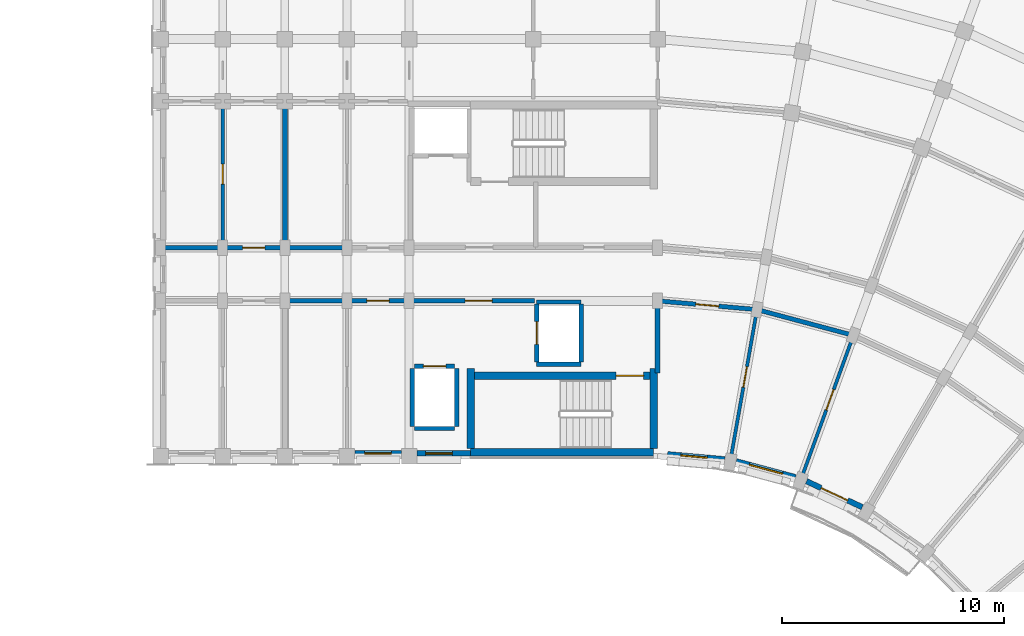
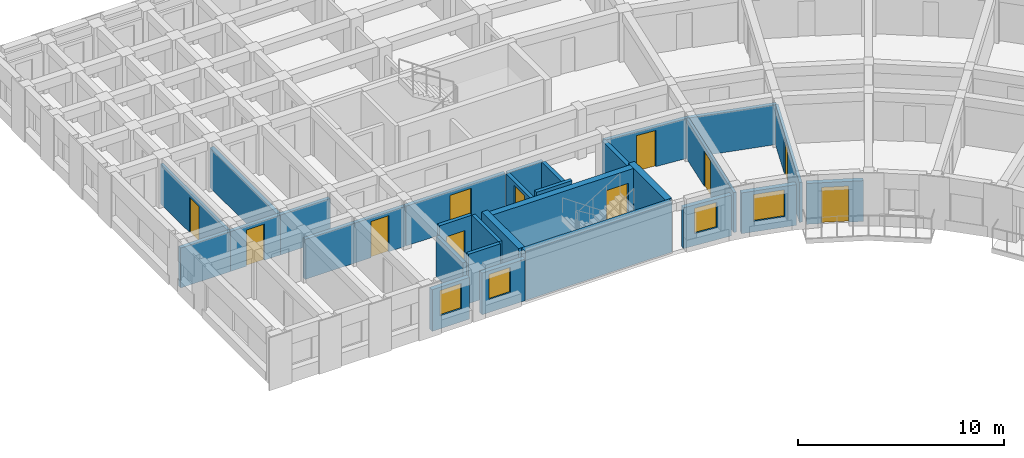
# One storey, part 30 of 57: 30 walls, 11 doors, 4 windows, 15 openings.
"""IFC4 building model written with IfcOpenShell, lengths in metres."""

from ifc_helpers import new_model, si_unit, direction, frame, frame_2d, origin, place, context, subcontext, project, spatial, rectangle, extrude, material, layer, layer_set, type_object, element, fill, save


model = new_model("IFC4")

# Units and contexts
model_context = context("Model", 3, precision=1e-05, world=origin(), true_north=direction((0.0, 1.0)))
body_context = subcontext(model_context, "Body", "Model", "MODEL_VIEW")
ifc_project = project(units=[si_unit("LENGTHUNIT", "METRE"), si_unit("AREAUNIT", "SQUARE_METRE"), si_unit("VOLUMEUNIT", "CUBIC_METRE"), si_unit("PLANEANGLEUNIT", "RADIAN"), si_unit("MASSUNIT", "GRAM", prefix="KILO")], contexts=[model_context])

# Site, building, storey
site_placement = place(None, origin())
site = spatial("IfcSite", under=ifc_project, at=site_placement, CompositionType="ELEMENT")
building_placement = place(site_placement, origin())
building = spatial("IfcBuilding", under=site, at=building_placement, Name="Kiranvali Square Residences", CompositionType="ELEMENT")
storey_placement = place(building_placement, frame((0.0, 0.0, 18.14990234375)))
storey = spatial("IfcBuildingStorey", under=building, at=storey_placement, Name="L05", CompositionType="ELEMENT", Elevation=18.14990234375)

# Wall, opening, door
ifc_material_1 = material(Name="Autoclaved aerated concrete blockwork masonry", Category="masonry")
ifc_layer_1 = layer(ifc_material_1, 0.199951171875)
ifc_layer_set_1 = layer_set([ifc_layer_1], Name="Autoclaved aerated concrete blockwork masonry")
wall_type_1 = type_object("IfcWallType", Name="WL-COR-200", PredefinedType="STANDARD", material=ifc_layer_set_1)
wall_1_placement = place(storey_placement, frame((114.25, 113.60009765625, 0.0), z_axis=(0.0, 0.0, 1.0), x_axis=(-1.0, 0.0, 0.0)))
wall_1 = element("IfcWall", 1, at=wall_1_placement, inside=storey, type_object=wall_type_1, Name="L05 architectural wall WL-L05-B-LL-COR", PredefinedType="STANDARD", context=body_context, shape_type="SweptSolid", body=[
    extrude(rectangle(XDim=5.60009765625, YDim=0.199951171875, at=frame_2d((2.800048828125, 0.0))), origin(), (0.0, 0.0, 1.0), 2.3720703125),
])
opening_1_placement = place(wall_1_placement, frame((1.909912109375, 0.0, 0.0)))
opening_1 = element("IfcOpeningElement", 2, at=opening_1_placement, cuts=wall_1, Name="Opening FD-COR-60", PredefinedType="OPENING", context=body_context, shape_type="SweptSolid", body=[
    extrude(rectangle(XDim=1.219970703125, YDim=2.14990234375, at=frame_2d((0.60986328125, 1.074951171875))), frame((0.0, 0.10986328125, 0.0), z_axis=(0.0, -1.0, 0.0), x_axis=(1.0, 0.0, 0.0)), (0.0, 0.0, 1.0), 0.219970703125),
])
ifc_material_2 = material(Name="Fire-rated acoustic hardwood and mineral-core door assembly", Category="wood")
door_type_1 = type_object("IfcDoorType", Name="DR-FD60-1200", OperationType="NOTDEFINED", PredefinedType="DOOR", material=ifc_material_2)
door_1_placement = place(opening_1_placement, origin())
door_1 = element("IfcDoor", 3, at=door_1_placement, inside=storey, type_object=door_type_1, Name="L05 door DR-L05-1263 (DR-FD60-1200)", OperationType="SINGLE_SWING_LEFT", OverallHeight=2.14990234375, OverallWidth=1.219970703125, PredefinedType="DOOR", context=body_context, shape_type="SweptSolid", body=[
    extrude(rectangle(XDim=1.219970703125, YDim=2.14990234375, at=frame_2d((0.60986328125, 1.074951171875))), frame((0.0, 0.02490234375, 0.0), z_axis=(0.0, -1.0, 0.0), x_axis=(1.0, 0.0, 0.0)), (0.0, 0.0, 1.0), 0.050048828125),
])
fill(opening_1, door_1)

wall_2_placement = place(storey_placement, frame((108.60009765625, 113.60009765625, 0.0), z_axis=(0.0, 0.0, 1.0), x_axis=(-1.0, 0.0, 0.0)))
wall_2 = element("IfcWall", 4, at=wall_2_placement, inside=storey, type_object=wall_type_1, Name="L05 architectural wall WL-L05-B-A1CI-0", PredefinedType="STANDARD", context=body_context, shape_type="SweptSolid", body=[
    extrude(rectangle(XDim=2.800048828125, YDim=0.199951171875, at=frame_2d((1.39990234375, 0.0))), origin(), (0.0, 0.0, 1.0), 2.3720703125),
])
opening_2_placement = place(wall_2_placement, frame((0.89990234375, 0.0, 0.0)))
opening_2 = element("IfcOpeningElement", 5, at=opening_2_placement, cuts=wall_2, Name="Opening FD-APT-60", PredefinedType="OPENING", context=body_context, shape_type="SweptSolid", body=[
    extrude(rectangle(XDim=1.0, YDim=2.14990234375, at=frame_2d((0.5, 1.074951171875))), frame((0.0, 0.10986328125, 0.0), z_axis=(0.0, -1.0, 0.0), x_axis=(1.0, 0.0, 0.0)), (0.0, 0.0, 1.0), 0.219970703125),
])
door_type_2 = type_object("IfcDoorType", Name="DR-APT-1000", OperationType="NOTDEFINED", PredefinedType="DOOR", material=ifc_material_2)
door_2_placement = place(opening_2_placement, origin())
door_2 = element("IfcDoor", 6, at=door_2_placement, inside=storey, type_object=door_type_2, Name="L05 door DR-L05-1267 (DR-APT-1000)", OperationType="SINGLE_SWING_LEFT", OverallHeight=2.14990234375, OverallWidth=1.0, PredefinedType="DOOR", context=body_context, shape_type="SweptSolid", body=[
    extrude(rectangle(XDim=1.0, YDim=2.14990234375, at=frame_2d((0.5, 1.074951171875))), frame((0.0, 0.02490234375, 0.0), z_axis=(0.0, -1.0, 0.0), x_axis=(1.0, 0.0, 0.0)), (0.0, 0.0, 1.0), 0.050048828125),
])
fill(opening_2, door_2)

# Walls
for number, where, z_axis, x_axis, name in (
    (7, (105.800048828125, 113.60009765625, 0.0), (0.0, 0.0, 1.0), (-1.0, 0.0, 0.0), "L05 architectural wall WL-L05-B-A1CI-1"),
    (8, (105.800048828125, 116.0, 0.0), (0.0, 0.0, 1.0), (-1.0, 0.0, 0.0), "L05 architectural wall WL-L05-B-A1CO-1"),
):
    element("IfcWall", number, at=place(storey_placement, frame(where, z_axis=z_axis, x_axis=x_axis)), inside=storey, type_object=wall_type_1, Name=name, PredefinedType="STANDARD", context=body_context, shape_type="SweptSolid", body=[
        extrude(rectangle(XDim=2.800048828125, YDim=0.199951171875, at=frame_2d((1.39990234375, 0.0))), origin(), (0.0, 0.0, 1.0), 2.3720703125),
    ])

# Wall, opening, door
wall_3_placement = place(storey_placement, frame((103.0, 116.0, 0.0), z_axis=(0.0, 0.0, 1.0), x_axis=(-1.0, 0.0, 0.0)))
wall_3 = element("IfcWall", 9, at=wall_3_placement, inside=storey, type_object=wall_type_1, Name="L05 architectural wall WL-L05-B-A1CO-2", PredefinedType="STANDARD", context=body_context, shape_type="SweptSolid", body=[
    extrude(rectangle(XDim=2.800048828125, YDim=0.199951171875, at=frame_2d((1.39990234375, 0.0))), origin(), (0.0, 0.0, 1.0), 2.3720703125),
])
opening_3_placement = place(wall_3_placement, frame((0.89990234375, 0.0, 0.0)))
opening_3 = element("IfcOpeningElement", 10, at=opening_3_placement, cuts=wall_3, Name="Opening FD-APT-60", PredefinedType="OPENING", context=body_context, shape_type="SweptSolid", body=[
    extrude(rectangle(XDim=1.0, YDim=2.14990234375, at=frame_2d((0.5, 1.074951171875))), frame((0.0, 0.10986328125, 0.0), z_axis=(0.0, -1.0, 0.0), x_axis=(1.0, 0.0, 0.0)), (0.0, 0.0, 1.0), 0.219970703125),
])
door_3_placement = place(opening_3_placement, origin())
door_3 = element("IfcDoor", 11, at=door_3_placement, inside=storey, type_object=door_type_2, Name="L05 door DR-L05-1273 (DR-APT-1000)", OperationType="SINGLE_SWING_LEFT", OverallHeight=2.14990234375, OverallWidth=1.0, PredefinedType="DOOR", context=body_context, shape_type="SweptSolid", body=[
    extrude(rectangle(XDim=1.0, YDim=2.14990234375, at=frame_2d((0.5, 1.074951171875))), frame((0.0, 0.02490234375, 0.0), z_axis=(0.0, -1.0, 0.0), x_axis=(1.0, 0.0, 0.0)), (0.0, 0.0, 1.0), 0.050048828125),
])
fill(opening_3, door_3)

# Wall
wall_4_placement = place(storey_placement, frame((100.199951171875, 116.0, 0.0), z_axis=(0.0, 0.0, 1.0), x_axis=(-1.0, 0.0, 0.0)))
element("IfcWall", 12, at=wall_4_placement, inside=storey, type_object=wall_type_1, Name="L05 architectural wall WL-L05-B-A1CO-3", PredefinedType="STANDARD", context=body_context, shape_type="SweptSolid", body=[
    extrude(rectangle(XDim=2.800048828125, YDim=0.199951171875, at=frame_2d((1.39990234375, 0.0))), origin(), (0.0, 0.0, 1.0), 2.3720703125),
])

# Wall, opening, door
wall_5_placement = place(storey_placement, frame((119.800048828125, 113.60009765625, 0.0), z_axis=(0.0, 0.0, 1.0), x_axis=(0.996191949488, -0.087187153726, 0.0)))
wall_5 = element("IfcWall", 13, at=wall_5_placement, inside=storey, type_object=wall_type_1, Name="L05 architectural wall WL-L05-B-CCI-0", PredefinedType="STANDARD", context=body_context, shape_type="SweptSolid", body=[
    extrude(rectangle(XDim=4.4970703125, YDim=0.199951171875, at=frame_2d((2.24853515625, 0.0))), origin(), (0.0, 0.0, 1.0), 2.3720703125),
])
opening_4_placement = place(wall_5_placement, frame((1.728515625, 0.0, 0.0)))
opening_4 = element("IfcOpeningElement", 14, at=opening_4_placement, cuts=wall_5, Name="Opening FD-APT-60B", PredefinedType="OPENING", context=body_context, shape_type="SweptSolid", body=[
    extrude(rectangle(XDim=1.0400390625, YDim=2.14990234375, at=frame_2d((0.52001953125, 1.074951171875))), frame((0.0, 0.10986328125, 0.0), z_axis=(0.0, -1.0, 0.0), x_axis=(1.0, 0.0, 0.0)), (0.0, 0.0, 1.0), 0.219970703125),
])
door_type_3 = type_object("IfcDoorType", Name="DR-APT-1040", OperationType="NOTDEFINED", PredefinedType="DOOR", material=ifc_material_2)
door_4_placement = place(opening_4_placement, frame((1.0400390625, 0.0, 0.0), z_axis=(0.0, 0.0, 1.0), x_axis=(-1.0, 0.0, 0.0)))
door_4 = element("IfcDoor", 15, at=door_4_placement, inside=storey, type_object=door_type_3, Name="L05 door DR-L05-1306 (DR-APT-1040)", OperationType="SINGLE_SWING_RIGHT", OverallHeight=2.14990234375, OverallWidth=1.0400390625, PredefinedType="DOOR", context=body_context, shape_type="SweptSolid", body=[
    extrude(rectangle(XDim=1.0400390625, YDim=2.14990234375, at=frame_2d((0.52001953125, 1.074951171875))), frame((0.0, 0.02490234375, 0.0), z_axis=(0.0, -1.0, 0.0), x_axis=(1.0, 0.0, 0.0)), (0.0, 0.0, 1.0), 0.050048828125),
])
fill(opening_4, door_4)

# Walls
wall_6_placement = place(storey_placement, frame((124.280029296875, 113.2080078125, 0.0), z_axis=(0.0, 0.0, 1.0), x_axis=(0.965934240054, -0.258787642463, 0.0)))
element("IfcWall", 16, at=wall_6_placement, inside=storey, type_object=wall_type_1, Name="L05 architectural wall WL-L05-B-CCI-1", PredefinedType="STANDARD", context=body_context, shape_type="SweptSolid", body=[
    extrude(rectangle(XDim=4.497314453125, YDim=0.199951171875, at=frame_2d((2.24853515625, 0.0))), origin(), (0.0, 0.0, 1.0), 2.3720703125),
])
ifc_layer_2 = layer(ifc_material_1, 0.219970703125)
ifc_layer_set_2 = layer_set([ifc_layer_2], Name="Autoclaved aerated concrete blockwork masonry")
wall_type_2 = type_object("IfcWallType", Name="WL-DEM-220", PredefinedType="STANDARD", material=ifc_layer_set_2)
wall_7_placement = place(storey_placement, frame((103.0, 116.050048828125, 0.0), z_axis=(0.0, 0.0, 1.0), x_axis=(0.0, 1.0, 0.0)))
element("IfcWall", 17, at=wall_7_placement, inside=storey, type_object=wall_type_2, Name="L05 architectural wall WL-L05-B-A1TO1-2", PredefinedType="STANDARD", context=body_context, shape_type="SweptSolid", body=[
    extrude(rectangle(XDim=6.530029296875, YDim=0.219970703125, at=frame_2d((3.26513671875, 0.0))), origin(), (0.0, 0.0, 1.0), 2.3720703125),
])
wall_8_placement = place(storey_placement, frame((119.800048828125, 110.35009765625, 0.0), z_axis=(0.0, 0.0, 1.0), x_axis=(0.0, 1.0, 0.0)))
element("IfcWall", 18, at=wall_8_placement, inside=storey, type_object=wall_type_2, Name="L05 architectural wall WL-L05-B-RADI-0", PredefinedType="STANDARD", context=body_context, shape_type="SweptSolid", body=[
    extrude(rectangle(XDim=3.199951171875, YDim=0.219970703125, at=frame_2d((1.60009765625, 0.0))), origin(), (0.0, 0.0, 1.0), 2.3720703125),
])

# Wall, opening, window
ifc_material_3 = material(Name="Breathable lime-rendered clay brick masonry", Category="masonry")
ifc_layer_3 = layer(ifc_material_3, 0.25)
ifc_layer_set_3 = layer_set([ifc_layer_3], Name="Breathable lime-rendered clay brick masonry")
wall_type_3 = type_object("IfcWallType", Name="WL-EXT-250", PredefinedType="STANDARD", material=ifc_layer_set_3)
wall_9_placement = place(storey_placement, frame((120.249267578125, 106.686279296875, 0.0), z_axis=(0.0, 0.0, 1.0), x_axis=(0.996188278786, -0.087229084652, 0.0)))
wall_9 = element("IfcWall", 19, at=wall_9_placement, inside=storey, type_object=wall_type_3, Name="L05 exterior wall B-L05-GDN-00", PredefinedType="STANDARD", context=body_context, shape_type="SweptSolid", body=[
    extrude(rectangle(XDim=2.583251953125, YDim=0.25, at=frame_2d((1.29150390625, 0.0))), origin(), (0.0, 0.0, 1.0), 2.422119140625),
])
opening_5_placement = place(wall_9_placement, frame((0.5986328125, 0.0, 0.721923828125)))
opening_5 = element("IfcOpeningElement", 20, at=opening_5_placement, cuts=wall_9, Name="Opening W-06", PredefinedType="OPENING", context=body_context, shape_type="SweptSolid", body=[
    extrude(rectangle(XDim=1.199951171875, YDim=1.5, at=frame_2d((0.60009765625, 0.75))), frame((0.0, 0.135009765625, 0.0), z_axis=(0.0, -1.0, 0.0), x_axis=(1.0, 0.0, 0.0)), (0.0, 0.0, 1.0), 0.27001953125),
])
ifc_material_4 = material(Name="Solar-control low-e double glazing", Category="glass")
window_type_1 = type_object("IfcWindowType", Name="WIN-RES-1200x1500", PartitioningType="SINGLE_PANEL", PredefinedType="WINDOW", material=ifc_material_4)
window_1_placement = place(opening_5_placement, origin())
window_1 = element("IfcWindow", 21, at=window_1_placement, inside=storey, type_object=window_type_1, Name="L05 recessed window B-L05-GDN-00", OverallHeight=1.5, OverallWidth=1.199951171875, PartitioningType="SINGLE_PANEL", PredefinedType="WINDOW", context=body_context, shape_type="SweptSolid", body=[
    extrude(rectangle(XDim=1.199951171875, YDim=1.5, at=frame_2d((0.60009765625, 0.75))), frame((0.0, 0.030029296875, 0.0), z_axis=(0.0, -1.0, 0.0), x_axis=(1.0, 0.0, 0.0)), (0.0, 0.0, 1.0), 0.06005859375),
])
fill(opening_5, window_1)

wall_10_placement = place(storey_placement, frame((123.341796875, 106.369384765625, 0.0), z_axis=(0.0, 0.0, 1.0), x_axis=(0.965935855992, -0.25878161084, 0.0)))
wall_10 = element("IfcWall", 22, at=wall_10_placement, inside=storey, type_object=wall_type_3, Name="L05 exterior wall B-L05-GDN-01", PredefinedType="STANDARD", context=body_context, shape_type="SweptSolid", body=[
    extrude(rectangle(XDim=2.769775390625, YDim=0.25, at=frame_2d((1.384765625, 0.0))), origin(), (0.0, 0.0, 1.0), 2.422119140625),
])
opening_6_placement = place(wall_10_placement, frame((0.60986328125, 0.0, 0.6220703125)))
opening_6 = element("IfcOpeningElement", 23, at=opening_6_placement, cuts=wall_10, Name="Opening W-18", PredefinedType="OPENING", context=body_context, shape_type="SweptSolid", body=[
    extrude(rectangle(XDim=1.550048828125, YDim=1.60009765625, at=frame_2d((0.77490234375, 0.800048828125))), frame((0.0, 0.135009765625, 0.0), z_axis=(0.0, -1.0, 0.0), x_axis=(1.0, 0.0, 0.0)), (0.0, 0.0, 1.0), 0.27001953125),
])
window_type_2 = type_object("IfcWindowType", Name="WIN-GDN-1550x1600", PartitioningType="DOUBLE_PANEL_VERTICAL", PredefinedType="WINDOW", material=ifc_material_4)
window_2_placement = place(opening_6_placement, origin())
window_2 = element("IfcWindow", 24, at=window_2_placement, inside=storey, type_object=window_type_2, Name="L05 recessed window B-L05-GDN-01", OverallHeight=1.60009765625, OverallWidth=1.550048828125, PartitioningType="DOUBLE_PANEL_VERTICAL", PredefinedType="WINDOW", context=body_context, shape_type="SweptSolid", body=[
    extrude(rectangle(XDim=1.550048828125, YDim=1.60009765625, at=frame_2d((0.77490234375, 0.800048828125))), frame((0.0, 0.030029296875, 0.0), z_axis=(0.0, -1.0, 0.0), x_axis=(1.0, 0.0, 0.0)), (0.0, 0.0, 1.0), 0.06005859375),
])
fill(opening_6, window_2)

# Wall, opening, door
wall_11_placement = place(storey_placement, frame((126.5126953125, 105.472412109375, 0.0), z_axis=(0.0, 0.0, 1.0), x_axis=(0.906293449611, -0.422649007088, 0.0)))
wall_11 = element("IfcWall", 25, at=wall_11_placement, inside=storey, type_object=wall_type_3, Name="L05 exterior wall B-L05-GDN-02", PredefinedType="STANDARD", context=body_context, shape_type="SweptSolid", body=[
    extrude(rectangle(XDim=2.769775390625, YDim=0.25, at=frame_2d((1.384765625, 0.0))), origin(), (0.0, 0.0, 1.0), 2.422119140625),
])
opening_7_placement = place(wall_11_placement, frame((0.724853515625, 0.0, 0.0)))
opening_7 = element("IfcOpeningElement", 26, at=opening_7_placement, cuts=wall_11, Name="Opening ED-BAL-3", PredefinedType="OPENING", context=body_context, shape_type="SweptSolid", body=[
    extrude(rectangle(XDim=1.320068359375, YDim=2.14990234375, at=frame_2d((0.66015625, 1.074951171875))), frame((0.0, 0.135009765625, 0.0), z_axis=(0.0, -1.0, 0.0), x_axis=(1.0, 0.0, 0.0)), (0.0, 0.0, 1.0), 0.27001953125),
])
ifc_material_5 = material(Name="Anodised bronze aluminium framing", Category="aluminium")
door_type_4 = type_object("IfcDoorType", Name="DR-BAL-1320", OperationType="NOTDEFINED", PredefinedType="DOOR", material=ifc_material_5)
door_5_placement = place(opening_7_placement, frame((1.320068359375, 0.0, 0.0), z_axis=(0.0, 0.0, 1.0), x_axis=(-1.0, 0.0, 0.0)))
door_5 = element("IfcDoor", 27, at=door_5_placement, inside=storey, type_object=door_type_4, Name="L05 balcony terrace door", OperationType="SINGLE_SWING_LEFT", OverallHeight=2.14990234375, OverallWidth=1.320068359375, PredefinedType="DOOR", context=body_context, shape_type="SweptSolid", body=[
    extrude(rectangle(XDim=1.320068359375, YDim=2.14990234375, at=frame_2d((0.66015625, 1.074951171875))), frame((0.0, 0.02490234375, 0.0), z_axis=(0.0, -1.0, 0.0), x_axis=(1.0, 0.0, 0.0)), (0.0, 0.0, 1.0), 0.050048828125),
])
fill(opening_7, door_5)

# Wall, opening, window
wall_12_placement = place(storey_placement, frame((111.37158203125, 106.72509765625, 0.0), z_axis=(0.0, 0.0, 1.0), x_axis=(-1.0, 0.0, 0.0)))
wall_12 = element("IfcWall", 28, at=wall_12_placement, inside=storey, type_object=wall_type_3, Name="L05 exterior wall B-L05-A1IN-0", PredefinedType="STANDARD", context=body_context, shape_type="SweptSolid", body=[
    extrude(rectangle(XDim=2.421630859375, YDim=0.25, at=frame_2d((1.2109375, 0.0))), origin(), (0.0, 0.0, 1.0), 2.47216796875),
])
opening_8_placement = place(wall_12_placement, frame((0.821533203125, 0.0, 0.77197265625)))
opening_8 = element("IfcOpeningElement", 29, at=opening_8_placement, cuts=wall_12, Name="Opening W-06", PredefinedType="OPENING", context=body_context, shape_type="SweptSolid", body=[
    extrude(rectangle(XDim=1.199951171875, YDim=1.5, at=frame_2d((0.60009765625, 0.75))), frame((0.0, 0.135009765625, 0.0), z_axis=(0.0, -1.0, 0.0), x_axis=(1.0, 0.0, 0.0)), (0.0, 0.0, 1.0), 0.27001953125),
])
window_3_placement = place(opening_8_placement, origin())
window_3 = element("IfcWindow", 30, at=window_3_placement, inside=storey, type_object=window_type_1, Name="L05 recessed window B-L05-A1IN-0", OverallHeight=1.5, OverallWidth=1.199951171875, PartitioningType="SINGLE_PANEL", PredefinedType="WINDOW", context=body_context, shape_type="SweptSolid", body=[
    extrude(rectangle(XDim=1.199951171875, YDim=1.5, at=frame_2d((0.60009765625, 0.75))), frame((0.0, 0.030029296875, 0.0), z_axis=(0.0, -1.0, 0.0), x_axis=(1.0, 0.0, 0.0)), (0.0, 0.0, 1.0), 0.06005859375),
])
fill(opening_8, window_3)

wall_13_placement = place(storey_placement, frame((108.24658203125, 106.72509765625, 0.0), z_axis=(0.0, 0.0, 1.0), x_axis=(-1.0, 0.0, 0.0)))
wall_13 = element("IfcWall", 31, at=wall_13_placement, inside=storey, type_object=wall_type_3, Name="L05 exterior wall B-L05-A1I-0", PredefinedType="STANDARD", context=body_context, shape_type="SweptSolid", body=[
    extrude(rectangle(XDim=2.093017578125, YDim=0.25, at=frame_2d((1.04638671875, 0.0))), origin(), (0.0, 0.0, 1.0), 2.47216796875),
])
opening_9_placement = place(wall_13_placement, frame((0.446533203125, 0.0, 0.77197265625)))
opening_9 = element("IfcOpeningElement", 32, at=opening_9_placement, cuts=wall_13, Name="Opening W-06", PredefinedType="OPENING", context=body_context, shape_type="SweptSolid", body=[
    extrude(rectangle(XDim=1.199951171875, YDim=1.5, at=frame_2d((0.60009765625, 0.75))), frame((0.0, 0.135009765625, 0.0), z_axis=(0.0, -1.0, 0.0), x_axis=(1.0, 0.0, 0.0)), (0.0, 0.0, 1.0), 0.27001953125),
])
window_4_placement = place(opening_9_placement, origin())
window_4 = element("IfcWindow", 33, at=window_4_placement, inside=storey, type_object=window_type_1, Name="L05 recessed window B-L05-A1I-0", OverallHeight=1.5, OverallWidth=1.199951171875, PartitioningType="SINGLE_PANEL", PredefinedType="WINDOW", context=body_context, shape_type="SweptSolid", body=[
    extrude(rectangle(XDim=1.199951171875, YDim=1.5, at=frame_2d((0.60009765625, 0.75))), frame((0.0, 0.030029296875, 0.0), z_axis=(0.0, -1.0, 0.0), x_axis=(1.0, 0.0, 0.0)), (0.0, 0.0, 1.0), 0.06005859375),
])
fill(opening_9, window_4)

# Wall, opening, door
ifc_material_6 = material(Name="Acoustic gypsum board drylined partition", Category="gypsum")
ifc_layer_4 = layer(ifc_material_6, 0.14990234375)
ifc_layer_set_4 = layer_set([ifc_layer_4], Name="Acoustic gypsum board drylined partition")
wall_type_4 = type_object("IfcWallType", Name="WL-PRT-150", PredefinedType="PARTITIONING", material=ifc_layer_set_4)
wall_14_placement = place(storey_placement, frame((100.199951171875, 116.050048828125, 0.0), z_axis=(0.0, 0.0, 1.0), x_axis=(0.0, 1.0, 0.0)))
wall_14 = element("IfcWall", 34, at=wall_14_placement, inside=storey, type_object=wall_type_4, Name="L05 architectural wall WL-L05-B-A1TO1-3", PredefinedType="PARTITIONING", context=body_context, shape_type="SweptSolid", body=[
    extrude(rectangle(XDim=6.530029296875, YDim=0.14990234375, at=frame_2d((3.26513671875, 0.0))), origin(), (0.0, 0.0, 1.0), 2.3720703125),
])
opening_10_placement = place(wall_14_placement, frame((2.81494140625, 0.0, 0.0)))
opening_10 = element("IfcOpeningElement", 35, at=opening_10_placement, cuts=wall_14, Name="Opening ID-1", PredefinedType="OPENING", context=body_context, shape_type="SweptSolid", body=[
    extrude(rectangle(XDim=0.89990234375, YDim=2.10009765625, at=frame_2d((0.449951171875, 1.050048828125))), frame((0.0, 0.0849609375, 0.0), z_axis=(0.0, -1.0, 0.0), x_axis=(1.0, 0.0, 0.0)), (0.0, 0.0, 1.0), 0.169921875),
])
ifc_material_7 = material(Name="Solid seasoned teak hardwood joinery", Category="wood")
door_type_5 = type_object("IfcDoorType", Name="DR-INT-900", OperationType="NOTDEFINED", PredefinedType="DOOR", material=ifc_material_7)
door_6_placement = place(opening_10_placement, frame((0.89990234375, 0.0, 0.0), z_axis=(0.0, 0.0, 1.0), x_axis=(-1.0, 0.0, 0.0)))
door_6 = element("IfcDoor", 36, at=door_6_placement, inside=storey, type_object=door_type_5, Name="L05 door DR-L05-1280 (DR-INT-900)", OperationType="SINGLE_SWING_RIGHT", OverallHeight=2.10009765625, OverallWidth=0.89990234375, PredefinedType="DOOR", context=body_context, shape_type="SweptSolid", body=[
    extrude(rectangle(XDim=0.89990234375, YDim=2.10009765625, at=frame_2d((0.449951171875, 1.050048828125))), frame((0.0, 0.02490234375, 0.0), z_axis=(0.0, -1.0, 0.0), x_axis=(1.0, 0.0, 0.0)), (0.0, 0.0, 1.0), 0.050048828125),
])
fill(opening_10, door_6)

wall_15_placement = place(storey_placement, frame((123.099365234375, 106.51123046875, 0.0), z_axis=(0.0, 0.0, 1.0), x_axis=(0.173647089161, 0.984807944945, 0.0)))
wall_15 = element("IfcWall", 37, at=wall_15_placement, inside=storey, type_object=wall_type_4, Name="L05 architectural wall WL-L05-B-RADI-1", PredefinedType="PARTITIONING", context=body_context, shape_type="SweptSolid", body=[
    extrude(rectangle(XDim=6.75, YDim=0.14990234375, at=frame_2d((3.375, 0.0))), origin(), (0.0, 0.0, 1.0), 2.3720703125),
])
opening_11_placement = place(wall_15_placement, frame((3.242431640625, 0.0, 0.0)))
opening_11 = element("IfcOpeningElement", 38, at=opening_11_placement, cuts=wall_15, Name="Opening ID-2", PredefinedType="OPENING", context=body_context, shape_type="SweptSolid", body=[
    extrude(rectangle(XDim=0.93994140625, YDim=2.10009765625, at=frame_2d((0.469970703125, 1.050048828125))), frame((0.0, 0.0849609375, 0.0), z_axis=(0.0, -1.0, 0.0), x_axis=(1.0, 0.0, 0.0)), (0.0, 0.0, 1.0), 0.169921875),
])
door_type_6 = type_object("IfcDoorType", Name="DR-INT-940", OperationType="NOTDEFINED", PredefinedType="DOOR", material=ifc_material_7)
door_7_placement = place(opening_11_placement, origin())
door_7 = element("IfcDoor", 39, at=door_7_placement, inside=storey, type_object=door_type_6, Name="L05 door DR-L05-1283 (DR-INT-940)", OperationType="SINGLE_SWING_LEFT", OverallHeight=2.10009765625, OverallWidth=0.93994140625, PredefinedType="DOOR", context=body_context, shape_type="SweptSolid", body=[
    extrude(rectangle(XDim=0.93994140625, YDim=2.10009765625, at=frame_2d((0.469970703125, 1.050048828125))), frame((0.0, 0.02490234375, 0.0), z_axis=(0.0, -1.0, 0.0), x_axis=(1.0, 0.0, 0.0)), (0.0, 0.0, 1.0), 0.050048828125),
])
fill(opening_11, door_7)

wall_16_placement = place(storey_placement, frame((126.29833984375, 105.654052734375, 0.0), z_axis=(0.0, 0.0, 1.0), x_axis=(0.342010221662, 0.939696231917, 0.0)))
wall_16 = element("IfcWall", 40, at=wall_16_placement, inside=storey, type_object=wall_type_4, Name="L05 architectural wall WL-L05-B-RADI-2", PredefinedType="PARTITIONING", context=body_context, shape_type="SweptSolid", body=[
    extrude(rectangle(XDim=6.75, YDim=0.14990234375, at=frame_2d((3.375, 0.0))), origin(), (0.0, 0.0, 1.0), 2.3720703125),
])
opening_12_placement = place(wall_16_placement, frame((3.222412109375, 0.0, 0.0)))
opening_12 = element("IfcOpeningElement", 41, at=opening_12_placement, cuts=wall_16, Name="Opening ID-3", PredefinedType="OPENING", context=body_context, shape_type="SweptSolid", body=[
    extrude(rectangle(XDim=0.97998046875, YDim=2.1201171875, at=frame_2d((0.489990234375, 1.06005859375))), frame((0.0, 0.0849609375, 0.0), z_axis=(0.0, -1.0, 0.0), x_axis=(1.0, 0.0, 0.0)), (0.0, 0.0, 1.0), 0.169921875),
])
door_type_7 = type_object("IfcDoorType", Name="DR-INT-980", OperationType="NOTDEFINED", PredefinedType="DOOR", material=ifc_material_7)
door_8_placement = place(opening_12_placement, frame((0.97998046875, 0.0, 0.0), z_axis=(0.0, 0.0, 1.0), x_axis=(-1.0, 0.0, 0.0)))
door_8 = element("IfcDoor", 42, at=door_8_placement, inside=storey, type_object=door_type_7, Name="L05 door DR-L05-1284 (DR-INT-980)", OperationType="SINGLE_SWING_RIGHT", OverallHeight=2.1201171875, OverallWidth=0.97998046875, PredefinedType="DOOR", context=body_context, shape_type="SweptSolid", body=[
    extrude(rectangle(XDim=0.97998046875, YDim=2.1201171875, at=frame_2d((0.489990234375, 1.06005859375))), frame((0.0, 0.02490234375, 0.0), z_axis=(0.0, -1.0, 0.0), x_axis=(1.0, 0.0, 0.0)), (0.0, 0.0, 1.0), 0.050048828125),
])
fill(opening_12, door_8)

# Walls
ifc_layer_5 = layer(ifc_material_1, 0.199951171875)
ifc_layer_set_5 = layer_set([ifc_layer_5], Name="Autoclaved aerated concrete blockwork masonry")
wall_type_5 = type_object("IfcWallType", Name="WL-SHF-200", PredefinedType="STANDARD", material=ifc_layer_set_5)
wall_17_placement = place(storey_placement, frame((110.75, 107.949951171875, 0.0), z_axis=(0.0, 0.0, 1.0), x_axis=(0.0, 1.0, 0.0)))
element("IfcWall", 43, at=wall_17_placement, inside=storey, type_object=wall_type_5, Name="L05 architectural wall WL-L05-B-LP1-S1", PredefinedType="STANDARD", context=body_context, shape_type="SweptSolid", body=[
    extrude(rectangle(XDim=2.60009765625, YDim=0.199951171875, at=frame_2d((1.300048828125, 0.0))), origin(), (0.0, 0.0, 1.0), 2.93017578125),
])
wall_18_placement = place(storey_placement, frame((108.75, 107.949951171875, 0.0), z_axis=(0.0, 0.0, 1.0), x_axis=(0.0, 1.0, 0.0)))
element("IfcWall", 44, at=wall_18_placement, inside=storey, type_object=wall_type_5, Name="L05 architectural wall WL-L05-B-LP1-B", PredefinedType="STANDARD", context=body_context, shape_type="SweptSolid", body=[
    extrude(rectangle(XDim=2.60009765625, YDim=0.199951171875, at=frame_2d((1.300048828125, 0.0))), origin(), (0.0, 0.0, 1.0), 2.3720703125),
])
wall_19_placement = place(storey_placement, frame((110.64990234375, 107.85009765625, 0.0), z_axis=(0.0, 0.0, 1.0), x_axis=(-1.0, 0.0, 0.0)))
element("IfcWall", 45, at=wall_19_placement, inside=storey, type_object=wall_type_5, Name="L05 architectural wall WL-L05-B-LP1-S2", PredefinedType="STANDARD", context=body_context, shape_type="SweptSolid", body=[
    extrude(rectangle(XDim=1.7998046875, YDim=0.199951171875, at=frame_2d((0.89990234375, 0.0))), origin(), (0.0, 0.0, 1.0), 2.93017578125),
])

# Wall, opening, door
wall_20_placement = place(storey_placement, frame((110.64990234375, 110.64990234375, 0.0), z_axis=(0.0, 0.0, 1.0), x_axis=(-1.0, 0.0, 0.0)))
wall_20 = element("IfcWall", 46, at=wall_20_placement, inside=storey, type_object=wall_type_5, Name="L05 architectural wall WL-L05-B-LP1-F", PredefinedType="STANDARD", context=body_context, shape_type="SweptSolid", body=[
    extrude(rectangle(XDim=1.7998046875, YDim=0.199951171875, at=frame_2d((0.89990234375, 0.0))), origin(), (0.0, 0.0, 1.0), 2.93017578125),
])
opening_13_placement = place(wall_20_placement, frame((0.389892578125, 0.0, 0.0)))
opening_13 = element("IfcOpeningElement", 47, at=opening_13_placement, cuts=wall_20, Name="Opening LD-PAX-100", PredefinedType="OPENING", context=body_context, shape_type="SweptSolid", body=[
    extrude(rectangle(XDim=1.02001953125, YDim=2.14990234375, at=frame_2d((0.510009765625, 1.074951171875))), frame((0.0, 0.10986328125, 0.0), z_axis=(0.0, -1.0, 0.0), x_axis=(1.0, 0.0, 0.0)), (0.0, 0.0, 1.0), 0.219970703125),
])
door_type_8 = type_object("IfcDoorType", Name="DR-LIFT-1000", OperationType="SLIDING_TO_RIGHT", PredefinedType="DOOR", material=ifc_material_2)
door_9_placement = place(opening_13_placement, origin())
door_9 = element("IfcDoor", 48, at=door_9_placement, inside=storey, type_object=door_type_8, Name="L05 door DR-L05-1261 (DR-LIFT-1000)", OperationType="SLIDING_TO_RIGHT", OverallHeight=2.14990234375, OverallWidth=1.02001953125, PredefinedType="DOOR", context=body_context, shape_type="SweptSolid", body=[
    extrude(rectangle(XDim=1.02001953125, YDim=2.14990234375, at=frame_2d((0.510009765625, 1.074951171875))), frame((0.0, 0.02490234375, 0.0), z_axis=(0.0, -1.0, 0.0), x_axis=(1.0, 0.0, 0.0)), (0.0, 0.0, 1.0), 0.050048828125),
])
fill(opening_13, door_9)

# Walls
wall_21_placement = place(storey_placement, frame((116.35009765625, 110.75, 0.0), z_axis=(0.0, 0.0, 1.0), x_axis=(-1.0, 0.0, 0.0)))
element("IfcWall", 49, at=wall_21_placement, inside=storey, type_object=wall_type_5, Name="L05 architectural wall WL-L05-B-LP2-S0", PredefinedType="STANDARD", context=body_context, shape_type="SweptSolid", body=[
    extrude(rectangle(XDim=2.0, YDim=0.199951171875, at=frame_2d((1.0, 0.0))), origin(), (0.0, 0.0, 1.0), 2.93017578125),
])
wall_22_placement = place(storey_placement, frame((116.35009765625, 113.550048828125, 0.0), z_axis=(0.0, 0.0, 1.0), x_axis=(-1.0, 0.0, 0.0)))
element("IfcWall", 50, at=wall_22_placement, inside=storey, type_object=wall_type_5, Name="L05 architectural wall WL-L05-B-LP2-B", PredefinedType="STANDARD", context=body_context, shape_type="SweptSolid", body=[
    extrude(rectangle(XDim=2.0, YDim=0.199951171875, at=frame_2d((1.0, 0.0))), origin(), (0.0, 0.0, 1.0), 2.3720703125),
])
wall_23_placement = place(storey_placement, frame((116.35009765625, 110.85009765625, 0.0), z_axis=(0.0, 0.0, 1.0), x_axis=(0.0, 1.0, 0.0)))
element("IfcWall", 51, at=wall_23_placement, inside=storey, type_object=wall_type_5, Name="L05 architectural wall WL-L05-B-LP2-S1", PredefinedType="STANDARD", context=body_context, shape_type="SweptSolid", body=[
    extrude(rectangle(XDim=2.599853515625, YDim=0.199951171875, at=frame_2d((1.2998046875, 0.0))), origin(), (0.0, 0.0, 1.0), 2.3720703125),
])

# Wall, opening, door
wall_24_placement = place(storey_placement, frame((114.35009765625, 110.85009765625, 0.0), z_axis=(0.0, 0.0, 1.0), x_axis=(0.0, 1.0, 0.0)))
wall_24 = element("IfcWall", 52, at=wall_24_placement, inside=storey, type_object=wall_type_5, Name="L05 architectural wall WL-L05-B-LP2-F", PredefinedType="STANDARD", context=body_context, shape_type="SweptSolid", body=[
    extrude(rectangle(XDim=2.599853515625, YDim=0.199951171875, at=frame_2d((1.2998046875, 0.0))), origin(), (0.0, 0.0, 1.0), 2.3720703125),
])
opening_14_placement = place(wall_24_placement, frame((0.7900390625, 0.0, 0.0)))
opening_14 = element("IfcOpeningElement", 53, at=opening_14_placement, cuts=wall_24, Name="Opening LD-PAX-100", PredefinedType="OPENING", context=body_context, shape_type="SweptSolid", body=[
    extrude(rectangle(XDim=1.02001953125, YDim=2.14990234375, at=frame_2d((0.510009765625, 1.074951171875))), frame((0.0, 0.10986328125, 0.0), z_axis=(0.0, -1.0, 0.0), x_axis=(1.0, 0.0, 0.0)), (0.0, 0.0, 1.0), 0.219970703125),
])
door_10_placement = place(opening_14_placement, origin())
door_10 = element("IfcDoor", 54, at=door_10_placement, inside=storey, type_object=door_type_8, Name="L05 door DR-L05-1262 (DR-LIFT-1000)", OperationType="SLIDING_TO_RIGHT", OverallHeight=2.14990234375, OverallWidth=1.02001953125, PredefinedType="DOOR", context=body_context, shape_type="SweptSolid", body=[
    extrude(rectangle(XDim=1.02001953125, YDim=2.14990234375, at=frame_2d((0.510009765625, 1.074951171875))), frame((0.0, 0.02490234375, 0.0), z_axis=(0.0, -1.0, 0.0), x_axis=(1.0, 0.0, 0.0)), (0.0, 0.0, 1.0), 0.050048828125),
])
fill(opening_14, door_10)

# Wall
ifc_material_8 = material(Name="Concrete M50 (50 MPa)", Category="concrete")
ifc_layer_6 = layer(ifc_material_8, 0.35009765625)
ifc_layer_set_6 = layer_set([ifc_layer_6], Name="Concrete M50 (50 MPa)")
wall_type_6 = type_object("IfcWallType", Name="WL-SHR-350", PredefinedType="SHEAR", material=ifc_layer_set_6)
wall_25_placement = place(storey_placement, frame((119.625, 106.77490234375, 0.0), z_axis=(0.0, 0.0, 1.0), x_axis=(-1.0, 0.0, 0.0)))
element("IfcWall", 55, at=wall_25_placement, inside=storey, type_object=wall_type_6, Name="Block B core shear wall SW-B2-OUT-L05", PredefinedType="SHEAR", context=body_context, shape_type="SweptSolid", body=[
    extrude(rectangle(XDim=8.25, YDim=0.35009765625, at=frame_2d((4.125, 0.0))), origin(), (0.0, 0.0, 1.0), 2.93017578125),
])

# Wall, opening, door
wall_26_placement = place(storey_placement, frame((119.449951171875, 110.22509765625, 0.0), z_axis=(0.0, 0.0, 1.0), x_axis=(-1.0, 0.0, 0.0)))
wall_26 = element("IfcWall", 56, at=wall_26_placement, inside=storey, type_object=wall_type_6, Name="Block B core shear wall SW-B2-IN-L05", PredefinedType="SHEAR", context=body_context, shape_type="SweptSolid", body=[
    extrude(rectangle(XDim=7.89990234375, YDim=0.35009765625, at=frame_2d((3.949951171875, 0.0))), origin(), (0.0, 0.0, 1.0), 2.93017578125),
])
opening_15_placement = place(wall_26_placement, frame((0.280029296875, 0.0, 0.0)))
opening_15 = element("IfcOpeningElement", 57, at=opening_15_placement, cuts=wall_26, Name="Opening FD-ST-120", PredefinedType="OPENING", context=body_context, shape_type="SweptSolid", body=[
    extrude(rectangle(XDim=1.239990234375, YDim=2.14990234375, at=frame_2d((0.6201171875, 1.074951171875))), frame((0.0, 0.18505859375, 0.0), z_axis=(0.0, -1.0, 0.0), x_axis=(1.0, 0.0, 0.0)), (0.0, 0.0, 1.0), 0.3701171875),
])
door_type_9 = type_object("IfcDoorType", Name="DR-FD120-1200", OperationType="NOTDEFINED", PredefinedType="DOOR", material=ifc_material_2)
door_11_placement = place(opening_15_placement, origin())
door_11 = element("IfcDoor", 58, at=door_11_placement, inside=storey, type_object=door_type_9, Name="L05 door DR-L05-1259 (DR-FD120-1200)", OperationType="SINGLE_SWING_LEFT", OverallHeight=2.14990234375, OverallWidth=1.239990234375, PredefinedType="DOOR", context=body_context, shape_type="SweptSolid", body=[
    extrude(rectangle(XDim=1.239990234375, YDim=2.14990234375, at=frame_2d((0.6201171875, 1.074951171875))), frame((0.0, 0.02490234375, 0.0), z_axis=(0.0, -1.0, 0.0), x_axis=(1.0, 0.0, 0.0)), (0.0, 0.0, 1.0), 0.050048828125),
])
fill(opening_15, door_11)

# Walls
for number, where, z_axis, x_axis, name in (
    (59, (119.625, 106.949951171875, 0.0), (0.0, 0.0, 1.0), (0.0, 1.0, 0.0), "Block B core shear wall SW-B2-NEAR-L05"),
    (60, (111.375, 106.949951171875, 0.0), (0.0, 0.0, 1.0), (0.0, 1.0, 0.0), "Block B core shear wall SW-B2-FAR-L05"),
):
    element("IfcWall", number, at=place(storey_placement, frame(where, z_axis=z_axis, x_axis=x_axis)), inside=storey, type_object=wall_type_6, Name=name, PredefinedType="SHEAR", context=body_context, shape_type="SweptSolid", body=[
        extrude(rectangle(XDim=3.60009765625, YDim=0.35009765625, at=frame_2d((1.800048828125, 0.0))), origin(), (0.0, 0.0, 1.0), 2.93017578125),
    ])

save(model, "model.ifc")
